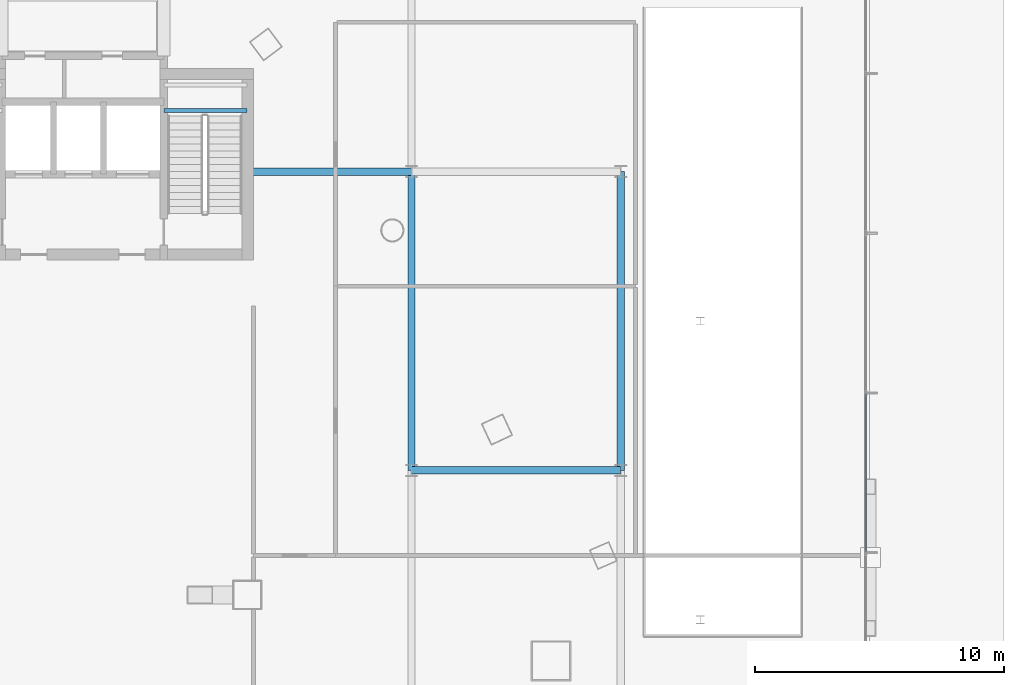
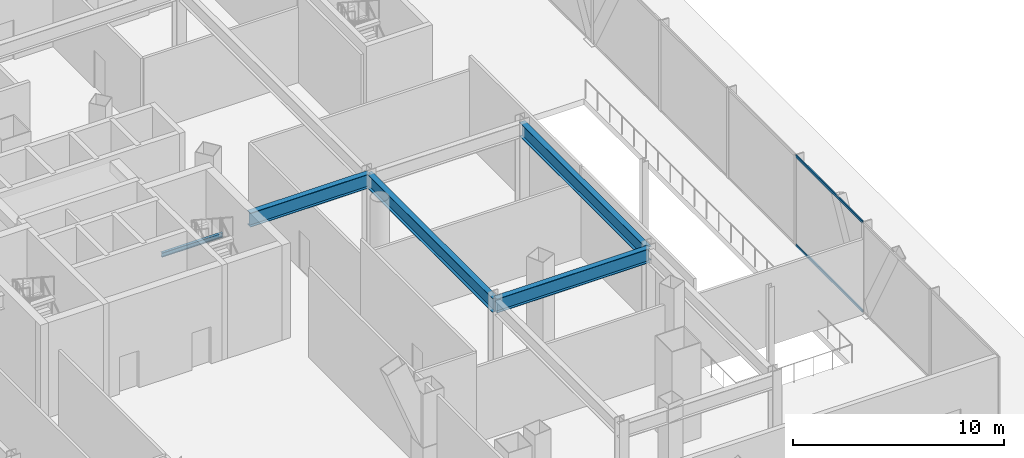
# One storey, part 14 of 38: 5 beams, 2 members, 1 element without a shape of its own.
"""IFC4 building model written with IfcOpenShell, lengths in metres."""

from ifc_helpers import new_model, si_unit, direction, frame, origin, origin_2d, place, context, subcontext, project, spatial, hollow_rectangle, i_section, extrude, material, layer, layer_set, material_profile, profile_set, type_object, element, aggregate, save


model = new_model("IFC4")

# Units and contexts
model_context = context("Model", 3, precision=1e-05, world=origin(), true_north=direction((0.0, 1.0)))
body_context = subcontext(model_context, "Body", "Model", "MODEL_VIEW")
ifc_project = project(units=[si_unit("LENGTHUNIT", "METRE"), si_unit("AREAUNIT", "SQUARE_METRE"), si_unit("VOLUMEUNIT", "CUBIC_METRE"), si_unit("PLANEANGLEUNIT", "RADIAN"), si_unit("MASSUNIT", "GRAM", prefix="KILO")], contexts=[model_context])

# Site, building, storey
site_placement = place(None, origin())
site = spatial("IfcSite", under=ifc_project, at=site_placement, CompositionType="ELEMENT")
building_placement = place(site_placement, origin())
building = spatial("IfcBuilding", under=site, at=building_placement, Name="Orvanel Arch Residences", CompositionType="ELEMENT")
storey_placement = place(building_placement, origin())
storey = spatial("IfcBuildingStorey", under=building, at=storey_placement, Name="L00", CompositionType="ELEMENT", Elevation=0.0)

# Beams
ifc_material_1 = material(Name="Structural steel AS/NZS 3678 Grade 350", Category="steel")
ifc_material_profile_1 = material_profile(ifc_material_1, i_section(OverallWidth=0.300048828125, OverallDepth=0.81591796875, WebThickness=0.013916015625, FlangeThickness=0.02392578125, at=origin_2d()), Name="800WB192")
ifc_profile_set_1 = profile_set([ifc_material_profile_1], Name="Structural steel AS/NZS 3678 Grade 350")
beam_type_1 = type_object("IfcBeamType", Name="BG-800WB", PredefinedType="BEAM", material=ifc_profile_set_1)
beam_1_placement = place(storey_placement, frame((46.199951171875, 18.0, 4.81201171875), z_axis=(1.0, 0.0, 0.0), x_axis=(0.0, 1.0, 0.0)))
element("IfcBeam", 1, at=beam_1_placement, inside=storey, type_object=beam_type_1, Name="L00 BG-800WB beam", PredefinedType="BEAM", context=body_context, shape_type="SweptSolid", body=[
    extrude(i_section(OverallWidth=0.300048828125, OverallDepth=0.81591796875, WebThickness=0.013916015625, FlangeThickness=0.02392578125, at=origin_2d()), origin(), (0.0, 0.0, 1.0), 8.400146484375),
])
beam_2_placement = place(storey_placement, frame((39.625, 30.0, 4.81201171875), z_axis=(1.0, 0.0, 0.0), x_axis=(0.0, 1.0, 0.0)))
element("IfcBeam", 2, at=beam_2_placement, inside=storey, type_object=beam_type_1, Name="L00 BG-800WB beam", PredefinedType="BEAM", context=body_context, shape_type="SweptSolid", body=[
    extrude(i_section(OverallWidth=0.300048828125, OverallDepth=0.81591796875, WebThickness=0.013916015625, FlangeThickness=0.02392578125, at=origin_2d()), origin(), (0.0, 0.0, 1.0), 6.574951171875),
])
for number, where, z_axis, x_axis, name in (
    (3, (46.199951171875, 18.0, 4.81201171875), (0.0, 1.0, 0.0), (-1.0, 0.0, 0.0), "L00 North-South Podium Girder XE46-M"),
    (4, (54.60009765625, 18.0, 4.81201171875), (0.0, 1.0, 0.0), (-1.0, 0.0, 0.0), "L00 North-South Podium Girder XE55-M"),
):
    element("IfcBeam", number, at=place(storey_placement, frame(where, z_axis=z_axis, x_axis=x_axis)), inside=storey, type_object=beam_type_1, Name=name, PredefinedType="BEAM", context=body_context, shape_type="SweptSolid", body=[
        extrude(i_section(OverallWidth=0.300048828125, OverallDepth=0.81591796875, WebThickness=0.013916015625, FlangeThickness=0.02392578125, at=origin_2d()), origin(), (0.0, 0.0, 1.0), 12.0),
    ])
ifc_material_2 = material(Name="Structural steel AS/NZS 3679.1 Grade 300 (300 MPa)", Category="steel")
ifc_material_profile_2 = material_profile(ifc_material_2, i_section(OverallWidth=0.14599609375, OverallDepth=0.251953125, WebThickness=0.006103515625, FlangeThickness=0.008544921875, at=origin_2d()), Name="250UB31.4")
ifc_profile_set_2 = profile_set([ifc_material_profile_2], Name="Structural steel AS/NZS 3679.1 Grade 300 (300 MPa)")
beam_type_2 = type_object("IfcBeamType", Name="BJ-250UB", PredefinedType="JOIST", material=ifc_profile_set_2)
beam_3_placement = place(storey_placement, frame((36.25, 32.4599609375, 2.424072265625), z_axis=(1.0, 0.0, 0.0), x_axis=(0.0, 1.0, 0.0)))
element("IfcBeam", 5, at=beam_3_placement, inside=storey, type_object=beam_type_2, Name="L00 ST-2 Half-Landing Support Beam 1.1", PredefinedType="JOIST", context=body_context, shape_type="SweptSolid", body=[
    extrude(i_section(OverallWidth=0.14599609375, OverallDepth=0.251953125, WebThickness=0.006103515625, FlangeThickness=0.008544921875, at=origin_2d()), origin(), (0.0, 0.0, 1.0), 3.35009765625),
])

# Curtain wall, members
ifc_material_3 = material(Name="Bronze-anodised aluminium AA6063-T6", Category="aluminium")
ifc_layer = layer(ifc_material_3, 0.199951171875)
ifc_layer_set = layer_set([ifc_layer], Name="Bronze-anodised aluminium AA6063-T6")
curtain_wall_type = type_object("IfcCurtainWallType", Name="CW1-POD-SYS", PredefinedType="NOTDEFINED", material=ifc_layer_set)
curtain_wall_placement = place(storey_placement, origin())
curtain_wall = element("IfcCurtainWall", 6, at=curtain_wall_placement, inside=storey, type_object=curtain_wall_type, Name="L00 CW1-POD-SYS Unitised Curtain Wall", PredefinedType="NOTDEFINED")
ifc_material_profile_3 = material_profile(ifc_material_3, hollow_rectangle(XDim=0.06494140625, YDim=0.14990234375, WallThickness=0.00390625, at=origin_2d()), Name="ALU150x65x4")
ifc_profile_set_3 = profile_set([ifc_material_profile_3], Name="Bronze-anodised aluminium AA6063-T6")
member_type = type_object("IfcMemberType", Name="TRN-150x65", PredefinedType="USERDEFINED", material=ifc_profile_set_3)
member_1_placement = place(storey_placement, frame((64.449951171875, 14.735107421875, 0.032470703125), z_axis=(0.0, 1.0, 0.0), x_axis=(-1.0, 0.0, 0.0)))
member_1 = element("IfcMember", 7, at=member_1_placement, type_object=member_type, Name="CW-S1 transom 3.1", ObjectType="TRANSOM", PredefinedType="USERDEFINED", context=body_context, shape_type="SweptSolid", body=[
    extrude(hollow_rectangle(XDim=0.06494140625, YDim=0.14990234375, WallThickness=0.00390625, at=origin_2d()), origin(), (0.0, 0.0, 1.0), 6.338623046875),
])
member_2_placement = place(storey_placement, frame((64.449951171875, 14.735107421875, 5.1875), z_axis=(0.0, 1.0, 0.0), x_axis=(-1.0, 0.0, 0.0)))
member_2 = element("IfcMember", 8, at=member_2_placement, type_object=member_type, Name="CW-S1 transom 3.2", ObjectType="TRANSOM", PredefinedType="USERDEFINED", context=body_context, shape_type="SweptSolid", body=[
    extrude(hollow_rectangle(XDim=0.06494140625, YDim=0.14990234375, WallThickness=0.00390625, at=origin_2d()), origin(), (0.0, 0.0, 1.0), 6.338623046875),
])
aggregate(curtain_wall, [member_1, member_2])

save(model, "model.ifc")
